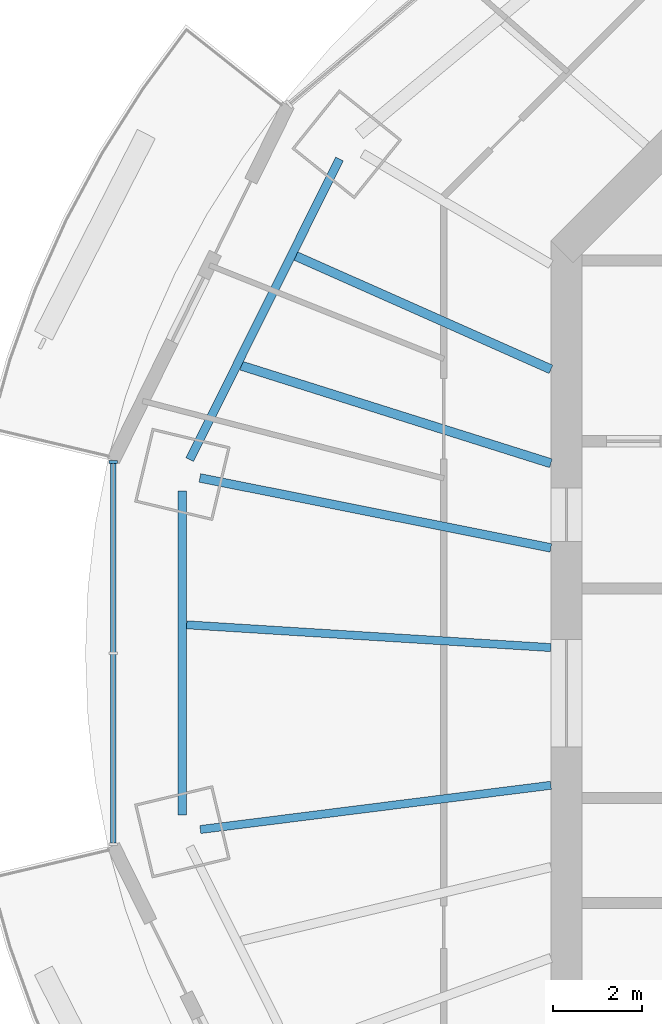
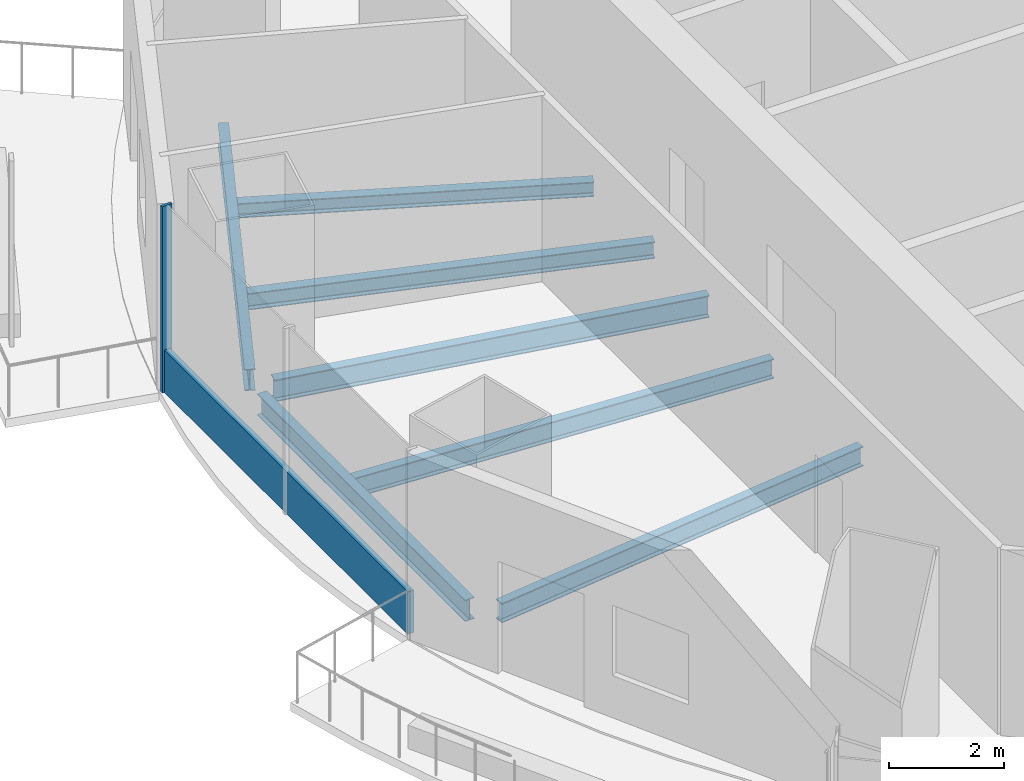
# One storey, part 3 of 16: 7 beams, 2 members, 1 element without a shape of its own.
"""IFC4 building model written with IfcOpenShell, lengths in metres."""

from ifc_helpers import new_model, si_unit, direction, frame, origin, origin_2d, place, context, subcontext, project, spatial, rectangle, i_section, extrude, material, material_profile, profile_set, type_object, element, aggregate, save


model = new_model("IFC4")

# Units and contexts
model_context = context("Model", 3, precision=1e-05, world=origin(), true_north=direction((0.0, 1.0)))
body_context = subcontext(model_context, "Body", "Model", "MODEL_VIEW")
ifc_project = project(units=[si_unit("LENGTHUNIT", "METRE"), si_unit("AREAUNIT", "SQUARE_METRE"), si_unit("VOLUMEUNIT", "CUBIC_METRE"), si_unit("PLANEANGLEUNIT", "RADIAN"), si_unit("MASSUNIT", "GRAM", prefix="KILO")], contexts=[model_context])

# Site, building, storey
site_placement = place(None, origin())
site = spatial("IfcSite", under=ifc_project, at=site_placement, CompositionType="ELEMENT")
building_placement = place(site_placement, origin())
building = spatial("IfcBuilding", under=site, at=building_placement, Name="Marenthal Gate Tower", CompositionType="ELEMENT")
storey_placement = place(building_placement, frame((0.0, 0.0, 359.199951171875)))
storey = spatial("IfcBuildingStorey", under=building, at=storey_placement, Name="L81", CompositionType="ELEMENT", Elevation=359.199951171875)

# Curtain wall, members
ifc_material_1 = material(Name="Aluminium and glass", Category="aluminium")
curtain_wall_type = type_object("IfcCurtainWallType", Name="Curtain wall typical high", PredefinedType="NOTDEFINED", material=ifc_material_1)
curtain_wall_placement = place(storey_placement, origin())
curtain_wall = element("IfcCurtainWall", 1, at=curtain_wall_placement, inside=storey, type_object=curtain_wall_type, Name="Curtain wall L81 bay 8", PredefinedType="NOTDEFINED")
ifc_material_2 = material(Name="Aluminium", Category="aluminium")
ifc_material_profile_1 = material_profile(ifc_material_2, rectangle(XDim=0.199951171875, YDim=0.06005859375, at=origin_2d()), Name="60x200 aluminium mullion")
ifc_profile_set_1 = profile_set([ifc_material_profile_1], Name="Aluminium")
member_type_1 = type_object("IfcMemberType", Name="Mullion 60x200 typical high", PredefinedType="MULLION", material=ifc_profile_set_1)
member_1_placement = place(storey_placement, frame((-26.160400390625, 5.18359375, 0.0), z_axis=(0.0, 0.0, 1.0), x_axis=(1.0, 0.0, 0.0)))
member_1 = element("IfcMember", 2, at=member_1_placement, type_object=member_type_1, Name="Mullion L81 bay 8.1", PredefinedType="MULLION", context=body_context, shape_type="SweptSolid", body=[
    extrude(rectangle(XDim=0.199951171875, YDim=0.06005859375, at=origin_2d()), origin(), (0.0, 0.0, 1.0), 3.969970703125),
])
ifc_material_3 = material(Name="Aluminium", Category="aluminium")
ifc_material_profile_2 = material_profile(ifc_material_3, rectangle(XDim=0.1201171875, YDim=0.89990234375, at=origin_2d()), Name="120x900 aluminium transom")
ifc_profile_set_2 = profile_set([ifc_material_profile_2], Name="Aluminium")
member_type_2 = type_object("IfcMemberType", Name="Transom 120x900 typical high", PredefinedType="USERDEFINED", material=ifc_profile_set_2)
member_2_placement = place(storey_placement, frame((-26.160400390625, 5.153564453125, 0.449951171875), z_axis=(0.0, -1.0, 0.0), x_axis=(1.0, 0.0, 0.0)))
member_2 = element("IfcMember", 3, at=member_2_placement, type_object=member_type_2, Name="Transom L81 bay 8", ObjectType="TRANSOM", PredefinedType="USERDEFINED", context=body_context, shape_type="SweptSolid", body=[
    extrude(rectangle(XDim=0.1201171875, YDim=0.89990234375, at=origin_2d()), origin(), (0.0, 0.0, 1.0), 8.507080078125),
])
aggregate(curtain_wall, [member_1, member_2])

# Beams
ifc_material_4 = material(Name="Steel S355", Category="steel")
ifc_material_profile_3 = material_profile(ifc_material_4, i_section(OverallWidth=0.205078125, OverallDepth=0.31005859375, WebThickness=0.009521484375, FlangeThickness=0.016357421875, FilletRadius=0.0126953125, at=origin_2d()), Name="W310X74")
ifc_profile_set_3 = profile_set([ifc_material_profile_3], Name="Steel S355")
beam_type_1 = type_object("IfcBeamType", Name="W310X74 beam", PredefinedType="BEAM", material=ifc_profile_set_3)
beam_1_placement = place(storey_placement, frame((-22.066162109375, 9.800537109375, -0.3349609375), z_axis=(0.913909711249, -0.40591752818, 0.0), x_axis=(0.40591752818, 0.913909711249, 0.0)))
element("IfcBeam", 4, at=beam_1_placement, inside=storey, type_object=beam_type_1, Name="BM-L81-26", PredefinedType="BEAM", context=body_context, shape_type="SweptSolid", body=[
    extrude(i_section(OverallWidth=0.205078125, OverallDepth=0.31005859375, WebThickness=0.009521484375, FlangeThickness=0.016357421875, FilletRadius=0.0126953125, at=origin_2d()), origin(), (0.0, 0.0, 1.0), 6.254638671875),
])
ifc_material_5 = material(Name="Steel S355", Category="steel")
ifc_material_profile_4 = material_profile(ifc_material_5, i_section(OverallWidth=0.205078125, OverallDepth=0.35302734375, WebThickness=0.009521484375, FlangeThickness=0.016845703125, FilletRadius=0.014892578125, at=origin_2d()), Name="W360X79")
ifc_profile_set_4 = profile_set([ifc_material_profile_4], Name="Steel S355")
beam_type_2 = type_object("IfcBeamType", Name="W360X79 beam", PredefinedType="BEAM", material=ifc_profile_set_4)
beam_2_placement = place(storey_placement, frame((-23.289794921875, 7.34326171875, -0.3564453125), z_axis=(0.953720492424, -0.300694566512, 0.0), x_axis=(0.300694566512, 0.953720492424, 0.0)))
element("IfcBeam", 5, at=beam_2_placement, inside=storey, type_object=beam_type_2, Name="BM-L81-27", PredefinedType="BEAM", context=body_context, shape_type="SweptSolid", body=[
    extrude(i_section(OverallWidth=0.205078125, OverallDepth=0.35302734375, WebThickness=0.009521484375, FlangeThickness=0.016845703125, FilletRadius=0.014892578125, at=origin_2d()), origin(), (0.0, 0.0, 1.0), 7.2763671875),
])
ifc_material_6 = material(Name="Steel S355", Category="steel")
ifc_material_profile_5 = material_profile(ifc_material_6, i_section(OverallWidth=0.180908203125, OverallDepth=0.4169921875, WebThickness=0.010986328125, FlangeThickness=0.018310546875, FilletRadius=0.01025390625, at=origin_2d()), Name="W410X85")
ifc_profile_set_5 = profile_set([ifc_material_profile_5], Name="Steel S355")
beam_type_3 = type_object("IfcBeamType", Name="W410X85 beam", PredefinedType="BEAM", material=ifc_profile_set_5)
beam_3_placement = place(storey_placement, frame((-24.20849609375, -3.0546875, -0.388427734375), z_axis=(0.992131135127, 0.125203077883, 0.0), x_axis=(-0.125203077883, 0.992131135127, 0.0)))
element("IfcBeam", 6, at=beam_3_placement, inside=storey, type_object=beam_type_3, Name="BM-L81-09", PredefinedType="BEAM", context=body_context, shape_type="SweptSolid", body=[
    extrude(i_section(OverallWidth=0.180908203125, OverallDepth=0.4169921875, WebThickness=0.010986328125, FlangeThickness=0.018310546875, FilletRadius=0.01025390625, at=origin_2d()), origin(), (0.0, 0.0, 1.0), 7.920654296875),
])
beam_4_placement = place(storey_placement, frame((-24.51513671875, 1.534912109375, -0.388427734375), z_axis=(0.998045605186, -0.062489758918, 0.0), x_axis=(0.062489758918, 0.998045605186, 0.0)))
element("IfcBeam", 7, at=beam_4_placement, inside=storey, type_object=beam_type_3, Name="BM-L81-28", PredefinedType="BEAM", context=body_context, shape_type="SweptSolid", body=[
    extrude(i_section(OverallWidth=0.180908203125, OverallDepth=0.4169921875, WebThickness=0.010986328125, FlangeThickness=0.018310546875, FilletRadius=0.01025390625, at=origin_2d()), origin(), (0.0, 0.0, 1.0), 8.180908203125),
])
ifc_material_7 = material(Name="Steel S355", Category="steel")
ifc_material_profile_6 = material_profile(ifc_material_7, i_section(OverallWidth=0.19091796875, OverallDepth=0.45703125, WebThickness=0.009033203125, FlangeThickness=0.014404296875, FilletRadius=0.01025390625, at=origin_2d()), Name="W460X74")
ifc_profile_set_6 = profile_set([ifc_material_profile_6], Name="Steel S355")
beam_type_4 = type_object("IfcBeamType", Name="W460X74 beam", PredefinedType="BEAM", material=ifc_profile_set_6)
beam_5_placement = place(storey_placement, frame((-21.089599609375, 11.975341796875, -0.408447265625), z_axis=(-0.445798626481, -0.895133277578, 0.0), x_axis=(0.895133277578, -0.445798626481, 0.0)))
element("IfcBeam", 8, at=beam_5_placement, inside=storey, type_object=beam_type_4, Name="BM-L81-45", PredefinedType="BEAM", context=body_context, shape_type="SweptSolid", body=[
    extrude(i_section(OverallWidth=0.19091796875, OverallDepth=0.45703125, WebThickness=0.009033203125, FlangeThickness=0.014404296875, FilletRadius=0.01025390625, at=origin_2d()), origin(), (0.0, 0.0, 1.0), 7.52587890625),
])
beam_6_placement = place(storey_placement, frame((-24.610595703125, 4.531494140625, -0.408447265625), z_axis=(0.0, -1.0, 0.0), x_axis=(1.0, 0.0, 0.0)))
element("IfcBeam", 9, at=beam_6_placement, inside=storey, type_object=beam_type_4, Name="BM-L81-46", PredefinedType="BEAM", context=body_context, shape_type="SweptSolid", body=[
    extrude(i_section(OverallWidth=0.19091796875, OverallDepth=0.45703125, WebThickness=0.009033203125, FlangeThickness=0.014404296875, FilletRadius=0.01025390625, at=origin_2d()), origin(), (0.0, 0.0, 1.0), 7.262939453125),
])
ifc_material_8 = material(Name="Steel S355", Category="steel")
ifc_material_profile_7 = material_profile(ifc_material_8, i_section(OverallWidth=0.193115234375, OverallDepth=0.467041015625, WebThickness=0.011474609375, FlangeThickness=0.01904296875, FilletRadius=0.010009765625, at=origin_2d()), Name="W460X97")
ifc_profile_set_7 = profile_set([ifc_material_profile_7], Name="Steel S355")
beam_type_5 = type_object("IfcBeamType", Name="W460X97 beam", PredefinedType="BEAM", material=ifc_profile_set_7)
beam_7_placement = place(storey_placement, frame((-24.2177734375, 4.8271484375, -0.413330078125), z_axis=(0.980704548758, -0.195495749433, 0.0), x_axis=(0.195495749433, 0.980704548758, 0.0)))
element("IfcBeam", 10, at=beam_7_placement, inside=storey, type_object=beam_type_5, Name="BM-L81-08", PredefinedType="BEAM", context=body_context, shape_type="SweptSolid", body=[
    extrude(i_section(OverallWidth=0.193115234375, OverallDepth=0.467041015625, WebThickness=0.011474609375, FlangeThickness=0.01904296875, FilletRadius=0.010009765625, at=origin_2d()), origin(), (0.0, 0.0, 1.0), 8.0224609375),
])

save(model, "model.ifc")
